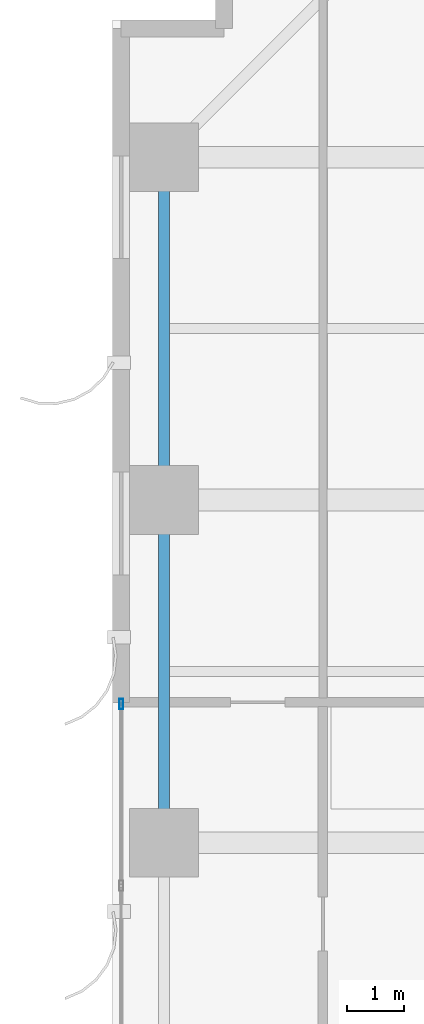
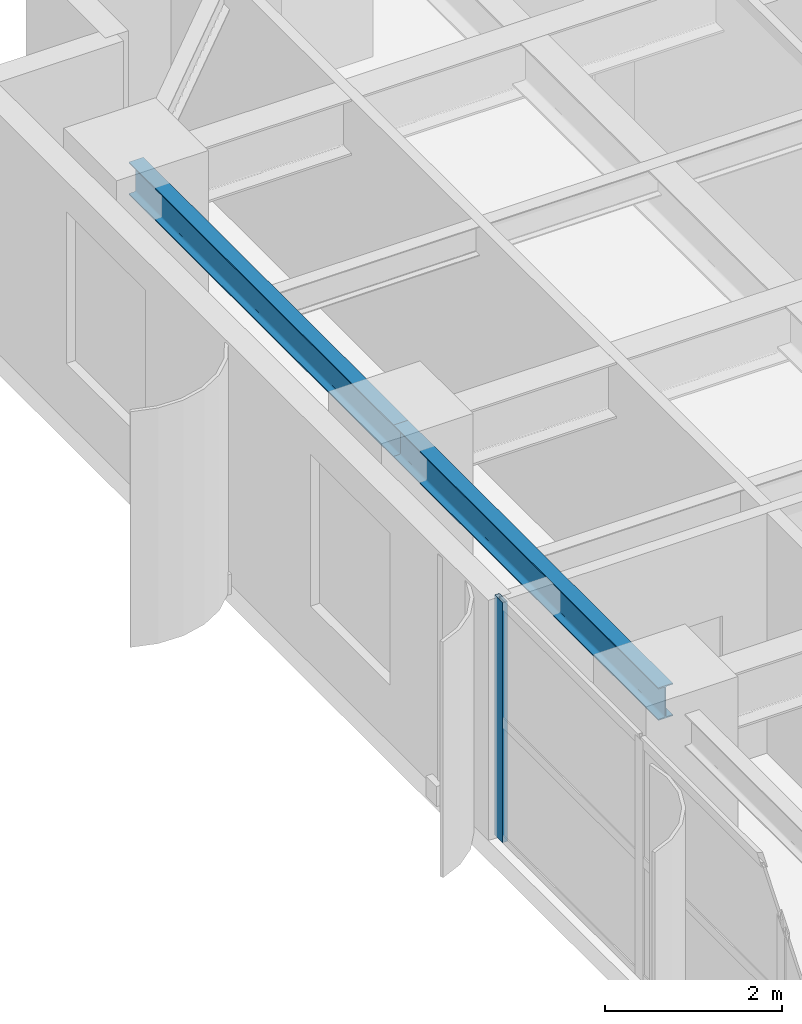
# One storey, part 9 of 24: 2 beams, 1 member, 1 element without a shape of its own.
"""IFC4 building model written with IfcOpenShell, lengths in metres."""

from ifc_helpers import new_model, si_unit, direction, frame, origin, origin_2d, place, context, subcontext, project, spatial, hollow_rectangle, i_section, extrude, source, transform, mapped, material, layer, layer_set, material_profile, profile_set, type_object, element, aggregate, save


model = new_model("IFC4")

# Units and contexts
model_context = context("Model", 3, precision=1e-05, world=origin(), true_north=direction((0.0, 1.0)))
body_context = subcontext(model_context, "Body", "Model", "MODEL_VIEW")
ifc_project = project(units=[si_unit("LENGTHUNIT", "METRE"), si_unit("AREAUNIT", "SQUARE_METRE"), si_unit("VOLUMEUNIT", "CUBIC_METRE"), si_unit("PLANEANGLEUNIT", "RADIAN"), si_unit("MASSUNIT", "GRAM", prefix="KILO")], contexts=[model_context])

# Site, building, storey
site_placement = place(None, origin())
site = spatial("IfcSite", under=ifc_project, at=site_placement, CompositionType="ELEMENT")
building_placement = place(site_placement, origin())
building = spatial("IfcBuilding", under=site, at=building_placement, Name="Khoralis Quay Care Tower", CompositionType="ELEMENT")
storey_placement = place(building_placement, frame((0.0, 0.0, 40.5)))
storey = spatial("IfcBuildingStorey", under=building, at=storey_placement, Name="L10", CompositionType="ELEMENT", Elevation=40.5)

# Beams
ifc_material_1 = material(Name="Steel S355", Category="steel")
ifc_material_profile_1 = material_profile(ifc_material_1, i_section(OverallWidth=0.18994140625, OverallDepth=0.449951171875, WebThickness=0.009521484375, FlangeThickness=0.0146484375, FilletRadius=0.02099609375, at=origin_2d()), Name="Steel S355")
ifc_profile_set_1 = profile_set([ifc_material_profile_1], Name="Steel S355")
beam_type = type_object("IfcBeamType", Name="BM-IPE450", PredefinedType="SPANDREL", material=ifc_profile_set_1)
shared_shape_1 = source(origin(), body_context, "Body", "SweptSolid", [
    extrude(i_section(OverallWidth=0.18994140625, OverallDepth=0.449951171875, WebThickness=0.009521484375, FlangeThickness=0.0146484375, FilletRadius=0.02099609375, at=origin_2d()), origin(), (0.0, 0.0, 1.0), 6.0),
])
for number, where, z_axis, x_axis, name in (
    (1, (0.89990234375, 30.0, 3.094970703125), (0.0, 1.0, 0.0), (-1.0, 0.0, 0.0), "BM-TSP-L10-17"),
    (2, (0.89990234375, 36.0, 3.094970703125), (0.0, 1.0, 0.0), (-1.0, 0.0, 0.0), "BM-TSP-L10-18"),
):
    element("IfcBeam", number, at=place(storey_placement, frame(where, z_axis=z_axis, x_axis=x_axis)), inside=storey, type_object=beam_type, Name=name, PredefinedType="SPANDREL", context=body_context, shape_type="MappedRepresentation", body=[
        mapped(shared_shape_1, transform((0.0, 0.0, 0.0), scale=1.0)),
    ])

# Curtain wall, member
ifc_material_2 = material(Name="Pale anodised aluminium", Category="aluminium")
ifc_layer = layer(ifc_material_2, 0.179931640625)
ifc_layer_set = layer_set([ifc_layer], Name="Pale anodised aluminium")
curtain_wall_type = type_object("IfcCurtainWallType", Name="CW-SYS-Z1", PredefinedType="NOTDEFINED", material=ifc_layer_set)
curtain_wall_placement = place(storey_placement, origin())
curtain_wall = element("IfcCurtainWall", 3, at=curtain_wall_placement, inside=storey, type_object=curtain_wall_type, Name="L10 Unitised Curtain Wall CW-L10-P1-E15", PredefinedType="NOTDEFINED")
ifc_material_profile_2 = material_profile(ifc_material_2, hollow_rectangle(XDim=0.06494140625, YDim=0.179931640625, WallThickness=0.00390625, at=origin_2d()), Name="Pale anodised aluminium")
ifc_profile_set_2 = profile_set([ifc_material_profile_2], Name="Pale anodised aluminium")
member_type = type_object("IfcMemberType", Name="CW-MUL-180", PredefinedType="MULLION", material=ifc_profile_set_2)
shared_shape_2 = source(origin(), body_context, "Body", "SweptSolid", [
    extrude(hollow_rectangle(XDim=0.06494140625, YDim=0.179931640625, WallThickness=0.00390625, at=origin_2d()), origin(), (0.0, 0.0, 1.0), 3.320068359375),
])
member_placement = place(storey_placement, frame((0.14990234375, 32.429931640625, 0.0), z_axis=(0.0, 0.0, 1.0), x_axis=(1.0, 0.0, 0.0)))
member = element("IfcMember", 4, at=member_placement, type_object=member_type, Name="CW1 mullion 1", PredefinedType="MULLION", context=body_context, shape_type="MappedRepresentation", body=[
    mapped(shared_shape_2, transform((0.0, 0.0, 0.0), scale=1.0)),
])
aggregate(curtain_wall, [member])

save(model, "model.ifc")
